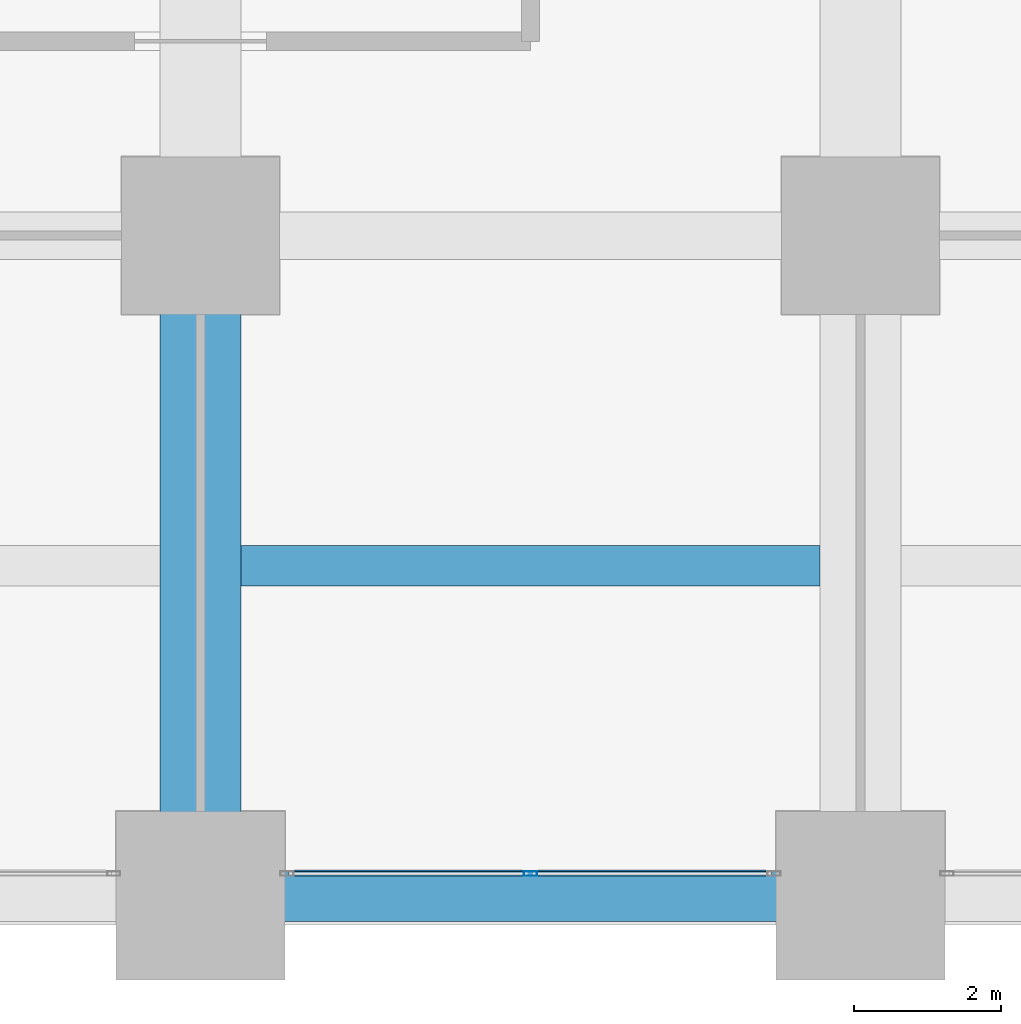
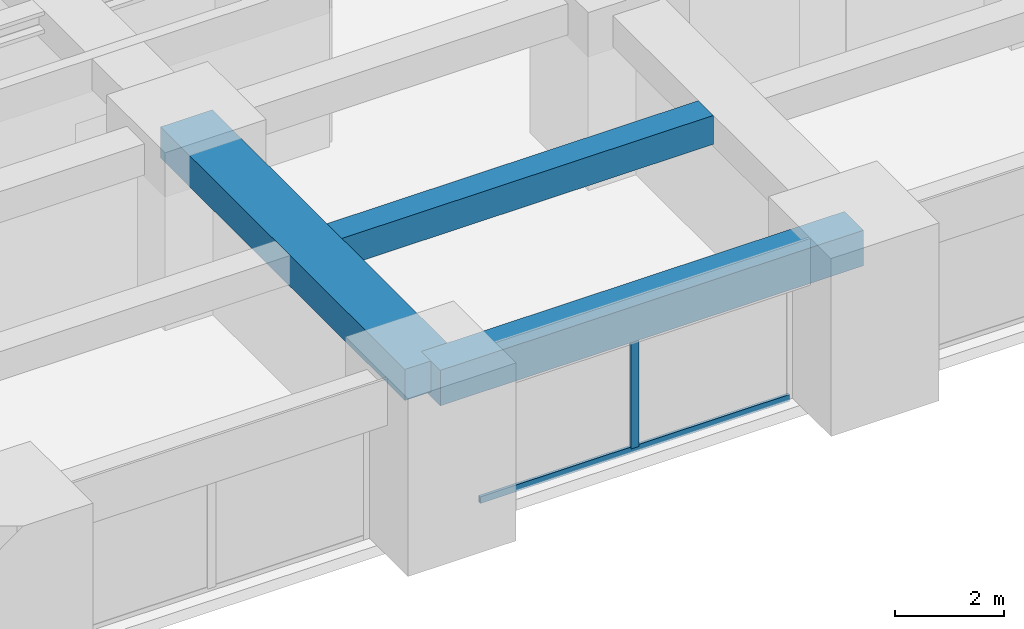
# One storey, part 7 of 44: 3 beams, 2 members, 1 element without a shape of its own.
"""IFC4 building model written with IfcOpenShell, lengths in metres."""

from ifc_helpers import new_model, si_unit, direction, frame, origin, origin_2d, place, context, subcontext, project, spatial, rectangle, hollow_rectangle, extrude, material, material_profile, profile_set, type_object, element, aggregate, save


model = new_model("IFC4")

# Units and contexts
model_context = context("Model", 3, precision=1e-05, world=origin(), true_north=direction((0.0, 1.0)))
body_context = subcontext(model_context, "Body", "Model", "MODEL_VIEW")
ifc_project = project(units=[si_unit("LENGTHUNIT", "METRE"), si_unit("AREAUNIT", "SQUARE_METRE"), si_unit("VOLUMEUNIT", "CUBIC_METRE"), si_unit("PLANEANGLEUNIT", "RADIAN"), si_unit("MASSUNIT", "GRAM", prefix="KILO")], contexts=[model_context])

# Site, building, storey
site_placement = place(None, origin())
site = spatial("IfcSite", under=ifc_project, at=site_placement, CompositionType="ELEMENT")
building_placement = place(site_placement, origin())
building = spatial("IfcBuilding", under=site, at=building_placement, Name="Zorevar Civic Tower", CompositionType="ELEMENT")
storey_placement = place(building_placement, frame((0.0, 0.0, 55.800048828125)))
storey = spatial("IfcBuildingStorey", under=building, at=storey_placement, Name="L13", CompositionType="ELEMENT", Elevation=55.800048828125)

# Beams
ifc_material_1 = material(Name="Concrete C50/60", Category="concrete")
ifc_material_profile_1 = material_profile(ifc_material_1, rectangle(XDim=1.10009765625, YDim=0.699951171875, at=origin_2d()), Name="RC 1100x700")
ifc_profile_set_1 = profile_set([ifc_material_profile_1], Name="Concrete C50/60")
beam_type_1 = type_object("IfcBeamType", Name="Beam RC 1100x700", PredefinedType="BEAM", material=ifc_profile_set_1)
beam_1_placement = place(storey_placement, frame((27.0, 0.0, 3.39990234375), z_axis=(0.0, 1.0, 0.0), x_axis=(-1.0, 0.0, 0.0)))
element("IfcBeam", 1, at=beam_1_placement, inside=storey, type_object=beam_type_1, Name="Girder L14", PredefinedType="BEAM", context=body_context, shape_type="SweptSolid", body=[
    extrude(rectangle(XDim=1.10009765625, YDim=0.699951171875, at=origin_2d()), origin(), (0.0, 0.0, 1.0), 9.0),
])
ifc_material_2 = material(Name="Concrete C50/60", Category="concrete")
ifc_material_profile_2 = material_profile(ifc_material_2, rectangle(XDim=0.550048828125, YDim=0.64990234375, at=origin_2d()), Name="RC 550x650")
ifc_profile_set_2 = profile_set([ifc_material_profile_2], Name="Concrete C50/60")
beam_type_2 = type_object("IfcBeamType", Name="Beam RC 550x650", PredefinedType="BEAM", material=ifc_profile_set_2)
beam_2_placement = place(storey_placement, frame((27.550048828125, 4.5, 3.425048828125), z_axis=(1.0, 0.0, 0.0), x_axis=(0.0, 1.0, 0.0)))
element("IfcBeam", 2, at=beam_2_placement, inside=storey, type_object=beam_type_2, Name="Secondary beam L14", PredefinedType="BEAM", context=body_context, shape_type="SweptSolid", body=[
    extrude(rectangle(XDim=0.550048828125, YDim=0.64990234375, at=origin_2d()), origin(), (0.0, 0.0, 1.0), 7.89990234375),
])

# Curtain wall, members
ifc_material_3 = material(Name="Dark grey solar-control glass in black aluminium frame", Category="aluminium")
curtain_wall_type = type_object("IfcCurtainWallType", Name="Curtain wall CW2 low zone", PredefinedType="NOTDEFINED", material=ifc_material_3)
curtain_wall_placement = place(storey_placement, origin())
curtain_wall = element("IfcCurtainWall", 3, at=curtain_wall_placement, inside=storey, type_object=curtain_wall_type, Name="CW2 L13", PredefinedType="NOTDEFINED")
ifc_material_4 = material(Name="Aluminium, black anodised", Category="aluminium")
ifc_material_profile_3 = material_profile(ifc_material_4, hollow_rectangle(XDim=0.06005859375, YDim=0.179931640625, WallThickness=0.00390625, at=origin_2d()), Name="AL 180x60x4")
ifc_profile_set_3 = profile_set([ifc_material_profile_3], Name="Aluminium, black anodised")
member_type_1 = type_object("IfcMemberType", Name="CW2 mullion AL 180x60x4", PredefinedType="MULLION", material=ifc_profile_set_3)
member_1_placement = place(storey_placement, frame((31.5, 0.300048828125, 0.06005859375), z_axis=(0.0, 0.0, 1.0), x_axis=(0.0, 1.0, 0.0)))
member_1 = element("IfcMember", 4, at=member_1_placement, type_object=member_type_1, Name="CW2 mullion 2", PredefinedType="MULLION", context=body_context, shape_type="SweptSolid", body=[
    extrude(hollow_rectangle(XDim=0.06005859375, YDim=0.179931640625, WallThickness=0.00390625, at=origin_2d()), origin(), (0.0, 0.0, 1.0), 2.889892578125),
])
ifc_material_5 = material(Name="Aluminium, black anodised", Category="aluminium")
ifc_material_profile_4 = material_profile(ifc_material_5, hollow_rectangle(XDim=0.06005859375, YDim=0.14990234375, WallThickness=0.00390625, at=origin_2d()), Name="AL 150x60x4")
ifc_profile_set_4 = profile_set([ifc_material_profile_4], Name="Aluminium, black anodised")
member_type_2 = type_object("IfcMemberType", Name="CW2 transom AL 150x60x4", PredefinedType="USERDEFINED", material=ifc_profile_set_4)
member_2_placement = place(storey_placement, frame((28.2099609375, 0.300048828125, 0.030029296875), z_axis=(1.0, 0.0, 0.0), x_axis=(0.0, 1.0, 0.0)))
member_2 = element("IfcMember", 5, at=member_2_placement, type_object=member_type_2, Name="CW2 sill transom", ObjectType="TRANSOM", PredefinedType="USERDEFINED", context=body_context, shape_type="SweptSolid", body=[
    extrude(hollow_rectangle(XDim=0.06005859375, YDim=0.14990234375, WallThickness=0.00390625, at=origin_2d()), origin(), (0.0, 0.0, 1.0), 6.580078125),
])
aggregate(curtain_wall, [member_1, member_2])

# Beam
ifc_material_6 = material(Name="Concrete C50/60", Category="concrete")
ifc_material_profile_5 = material_profile(ifc_material_6, rectangle(XDim=0.699951171875, YDim=0.800048828125, at=origin_2d()), Name="RC 700x800")
ifc_profile_set_5 = profile_set([ifc_material_profile_5], Name="Concrete C50/60")
beam_type_3 = type_object("IfcBeamType", Name="Edge beam RC 700x800", PredefinedType="SPANDREL", material=ifc_profile_set_5)
beam_3_placement = place(storey_placement, frame((27.0, 0.0, 3.349853515625), z_axis=(1.0, 0.0, 0.0), x_axis=(0.0, 1.0, 0.0)))
element("IfcBeam", 6, at=beam_3_placement, inside=storey, type_object=beam_type_3, Name="Edge beam L14", PredefinedType="SPANDREL", context=body_context, shape_type="SweptSolid", body=[
    extrude(rectangle(XDim=0.699951171875, YDim=0.800048828125, at=origin_2d()), origin(), (0.0, 0.0, 1.0), 9.0),
])

save(model, "model.ifc")
